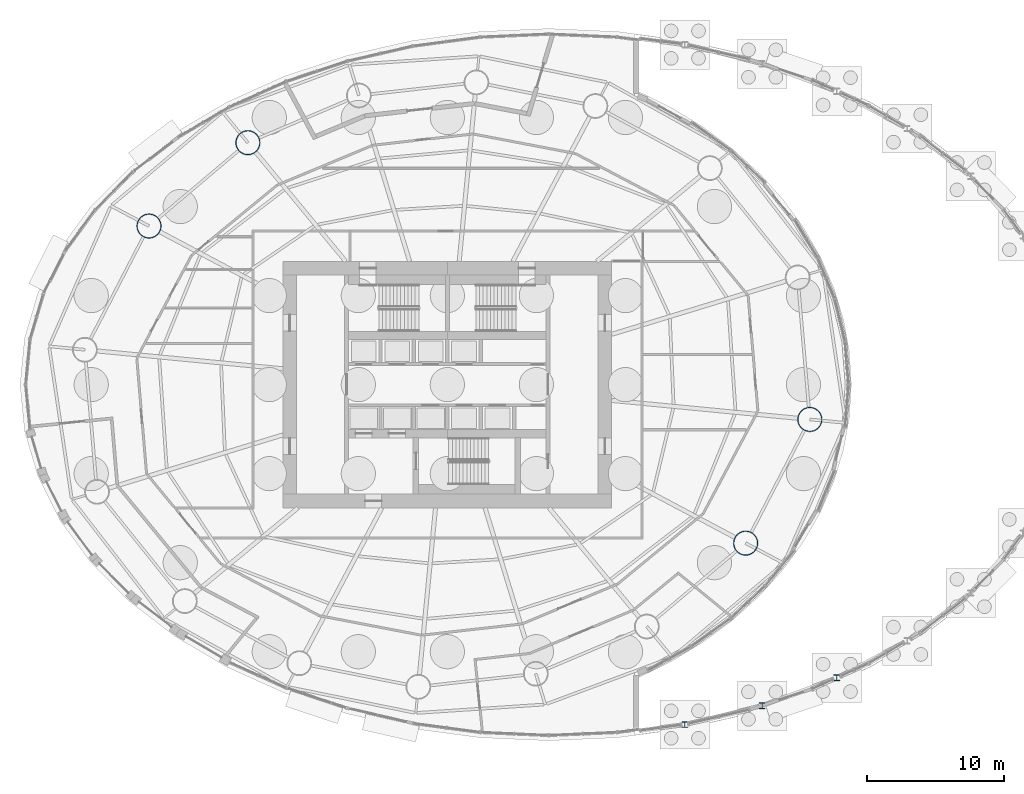
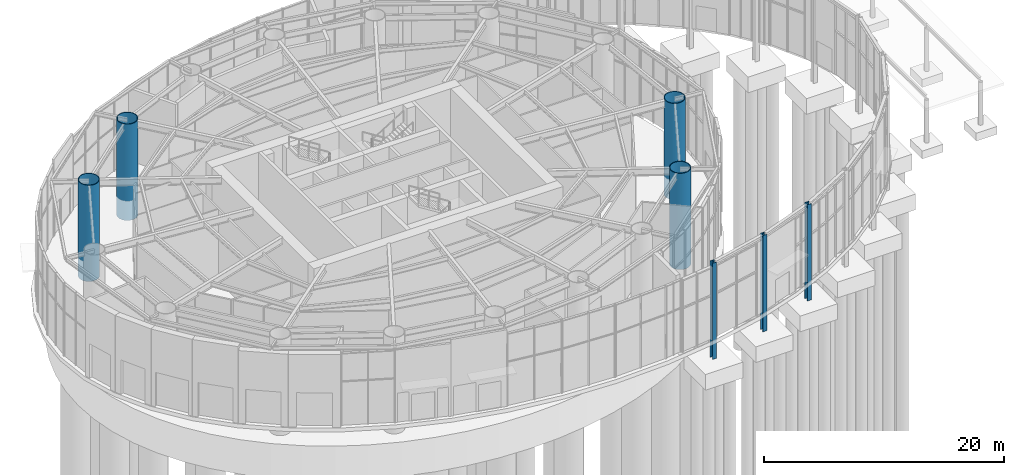
# One storey, part 2 of 27: 7 columns.
"""IFC4 building model written with IfcOpenShell, lengths in metres."""

from ifc_helpers import new_model, si_unit, direction, frame, origin, origin_2d, place, context, subcontext, project, spatial, hollow_circle, i_section, extrude, material, material_profile, profile_set, type_object, element, save


model = new_model("IFC4")

# Units and contexts
model_context = context("Model", 3, precision=1e-05, world=origin(), true_north=direction((0.0, 1.0)))
body_context = subcontext(model_context, "Body", "Model", "MODEL_VIEW")
ifc_project = project(units=[si_unit("LENGTHUNIT", "METRE"), si_unit("AREAUNIT", "SQUARE_METRE"), si_unit("VOLUMEUNIT", "CUBIC_METRE"), si_unit("PLANEANGLEUNIT", "RADIAN"), si_unit("MASSUNIT", "GRAM", prefix="KILO")], contexts=[model_context])

# Site, building, storey
site_placement = place(None, origin())
site = spatial("IfcSite", under=ifc_project, at=site_placement, CompositionType="ELEMENT")
building_placement = place(site_placement, origin())
building = spatial("IfcBuilding", under=site, at=building_placement, Name="Vermilion Reach Broadcast Tower", CompositionType="ELEMENT")
storey_placement = place(building_placement, origin())
storey = spatial("IfcBuildingStorey", under=building, at=storey_placement, Name="L00", CompositionType="ELEMENT", Elevation=0.0)

# Columns
ifc_material_1 = material(Name="Steel S460NL", Category="steel")
ifc_material_profile_1 = material_profile(ifc_material_1, i_section(OverallWidth=0.406982421875, OverallDepth=0.427978515625, WebThickness=0.02001953125, FlangeThickness=0.034912109375, at=origin_2d()), Name="S460NL HW 428x407x20x35")
ifc_profile_set_1 = profile_set([ifc_material_profile_1], Name="Steel S460NL")
column_type_1 = type_object("IfcColumnType", Name="AP HW 428x407x20x35", PredefinedType="COLUMN", material=ifc_profile_set_1)
for number, where, z_axis, x_axis, name in (
    (1, (11.337158203125, -24.81884765625, -2.0), (0.0, 0.0, 1.0), (1.0, 0.0, 0.0), "Atrium post AP01"),
    (2, (16.984619140625, -23.43505859375, -2.0), (0.0, 0.0, 1.0), (1.0, 0.0, 0.0), "Atrium post AP02"),
    (3, (22.43115234375, -21.408935546875, -2.0), (0.0, 0.0, 1.0), (1.0, 0.0, 0.0), "Atrium post AP03"),
):
    element("IfcColumn", number, at=place(storey_placement, frame(where, z_axis=z_axis, x_axis=x_axis)), inside=storey, type_object=column_type_1, Name=name, PredefinedType="COLUMN", context=body_context, shape_type="SweptSolid", body=[
        extrude(i_section(OverallWidth=0.406982421875, OverallDepth=0.427978515625, WebThickness=0.02001953125, FlangeThickness=0.034912109375, at=origin_2d()), origin(), (0.0, 0.0, 1.0), 9.800048828125),
    ])
ifc_material_2 = material(Name="Concrete C80 infill in steel S460NL tube", Category="concrete")
ifc_material_profile_2 = material_profile(ifc_material_2, hollow_circle(Radius=0.89990234375, WallThickness=0.06005859375, at=origin_2d()), Name="Concrete C80 infill in steel S460NL tube CFT 1800x60")
ifc_profile_set_2 = profile_set([ifc_material_profile_2], Name="Concrete C80 infill in steel S460NL tube")
column_type_2 = type_object("IfcColumnType", Name="MC1 CFT 1800x60", PredefinedType="COLUMN", material=ifc_profile_set_2)
for number, where, z_axis, x_axis, name in (
    (4, (-20.563232421875, 17.660400390625, -2.0), (0.0, 0.0, 1.0), (1.0, 0.0, 0.0), "Mega-column MC1-06"),
    (5, (-27.77978515625, 11.57568359375, -2.0), (0.0, 0.0, 1.0), (1.0, 0.0, 0.0), "Mega-column MC1-07"),
    (6, (15.77978515625, -11.57568359375, -2.0), (0.0, 0.0, 1.0), (1.0, 0.0, 0.0), "Mega-column MC1-15"),
    (7, (20.464111328125, -2.54345703125, -2.0), (0.0, 0.0, 1.0), (1.0, 0.0, 0.0), "Mega-column MC1-16"),
):
    element("IfcColumn", number, at=place(storey_placement, frame(where, z_axis=z_axis, x_axis=x_axis)), inside=storey, type_object=column_type_2, Name=name, PredefinedType="COLUMN", context=body_context, shape_type="SweptSolid", body=[
        extrude(hollow_circle(Radius=0.89990234375, WallThickness=0.06005859375, at=origin_2d()), origin(), (0.0, 0.0, 1.0), 9.800048828125),
    ])

save(model, "model.ifc")
